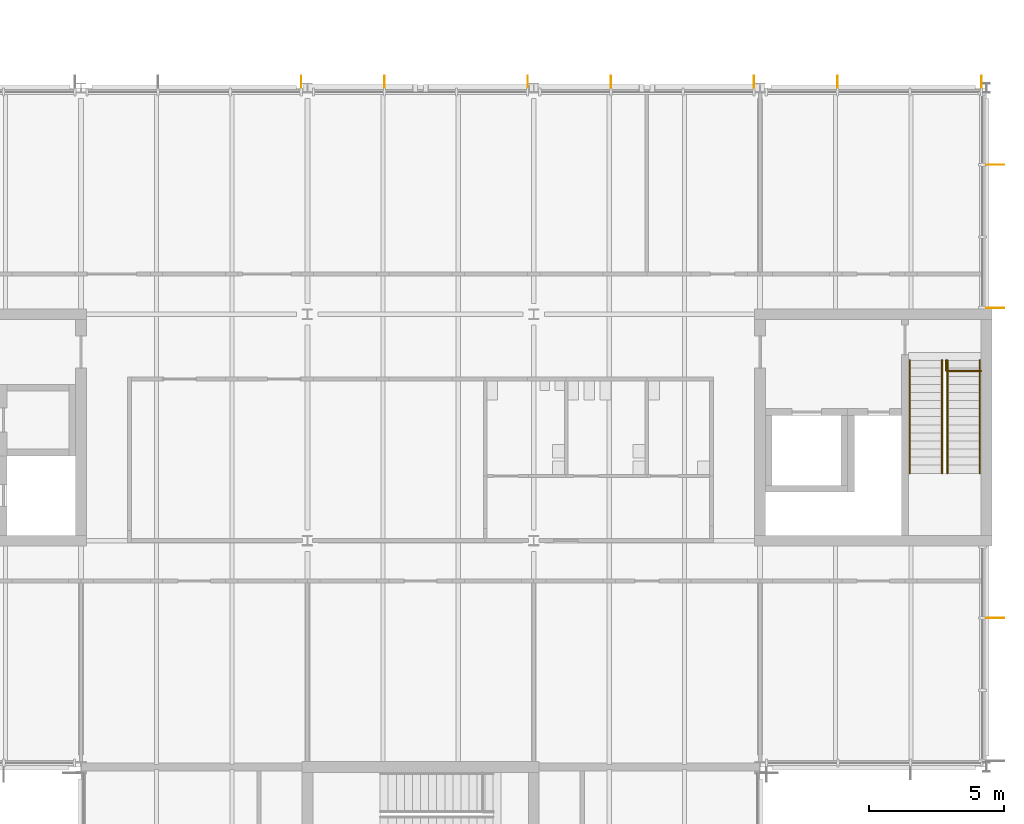
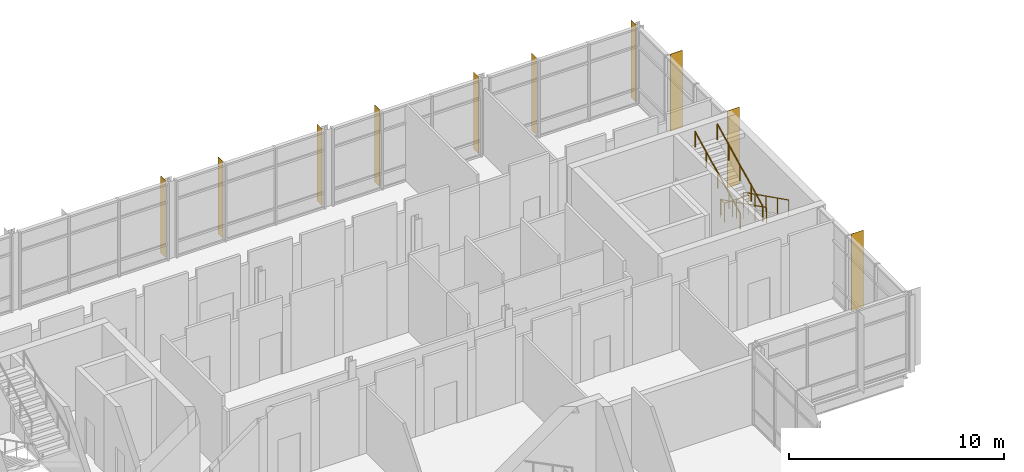
# One storey, part 88 of 89: 10 shading devices, 5 railings.
"""IFC4 building model written with IfcOpenShell, lengths in metres."""

from ifc_helpers import new_model, si_unit, direction, frame, origin, origin_2d, place, context, subcontext, project, spatial, rectangle, circle, extrude, material, layer, layer_set, type_object, element, save


model = new_model("IFC4")

# Units and contexts
model_context = context("Model", 3, precision=1e-05, world=origin(), true_north=direction((0.0, 1.0)))
body_context = subcontext(model_context, "Body", "Model", "MODEL_VIEW")
ifc_project = project(units=[si_unit("LENGTHUNIT", "METRE"), si_unit("AREAUNIT", "SQUARE_METRE"), si_unit("VOLUMEUNIT", "CUBIC_METRE"), si_unit("PLANEANGLEUNIT", "RADIAN"), si_unit("MASSUNIT", "GRAM", prefix="KILO")], contexts=[model_context])

# Site, building, storey
site_placement = place(None, origin())
site = spatial("IfcSite", under=ifc_project, at=site_placement, CompositionType="ELEMENT")
building_placement = place(site_placement, origin())
building = spatial("IfcBuilding", under=site, at=building_placement, Name="Hlaing Beacon Police Headquarters", CompositionType="ELEMENT")
storey_placement = place(building_placement, frame((0.0, 0.0, 9.89990234375)))
storey = spatial("IfcBuildingStorey", under=building, at=storey_placement, Name="L02", CompositionType="ELEMENT", Elevation=9.89990234375)

# Shading devices
ifc_material_1 = material(Name="Aluminium 6063-T5 anodised", Category="aluminium")
ifc_layer_1 = layer(ifc_material_1, 0.011962890625)
ifc_layer_set_1 = layer_set([ifc_layer_1], Name="Aluminium 6063-T5 anodised")
shading_device_type_1 = type_object("IfcShadingDeviceType", Name="Aluminium fin 12x450", PredefinedType="JALOUSIE", material=ifc_layer_set_1)
for number, where, z_axis, x_axis, name in (
    (1, (134.2099609375, 92.625, 0.0), (0.0, 0.0, 1.0), (-1.0, 0.0, 0.0), "Fin L02 N022.0"),
    (2, (128.87353515625, 92.625, 0.0), (0.0, 0.0, 1.0), (-1.0, 0.0, 0.0), "Fin L02 N022.2"),
    (3, (125.774658203125, 92.625, 0.0), (0.0, 0.0, 1.0), (-1.0, 0.0, 0.0), "Fin L02 N023.0"),
    (4, (120.4619140625, 92.625, 0.0), (0.0, 0.0, 1.0), (-1.0, 0.0, 0.0), "Fin L02 N023.2"),
    (5, (117.37451171875, 92.625, 0.0), (0.0, 0.0, 1.0), (-1.0, 0.0, 0.0), "Fin L02 N024.0"),
    (6, (112.061767578125, 92.625, 0.0), (0.0, 0.0, 1.0), (-1.0, 0.0, 0.0), "Fin L02 N024.2"),
    (7, (108.974609375, 92.625, 0.0), (0.0, 0.0, 1.0), (-1.0, 0.0, 0.0), "Fin L02 N025.0"),
):
    element("IfcShadingDevice", number, at=place(storey_placement, frame(where, z_axis=z_axis, x_axis=x_axis)), inside=storey, type_object=shading_device_type_1, Name=name, PredefinedType="JALOUSIE", context=body_context, shape_type="SweptSolid", body=[
        extrude(rectangle(XDim=0.011962890625, YDim=0.449951171875, at=origin_2d()), origin(), (0.0, 0.0, 1.0), 4.3701171875),
    ])
ifc_material_2 = material(Name="Aluminium 6063-T5 anodised", Category="aluminium")
ifc_layer_2 = layer(ifc_material_2, 0.01611328125)
ifc_layer_set_2 = layer_set([ifc_layer_2], Name="Aluminium 6063-T5 anodised")
shading_device_type_2 = type_object("IfcShadingDeviceType", Name="Aluminium fin 16x650", PredefinedType="JALOUSIE", material=ifc_layer_set_2)
for number, where, z_axis, x_axis, name in (
    (8, (134.72509765625, 72.725830078125, 0.0), (0.0, 0.0, 1.0), (0.0, 1.0, 0.0), "Fin L02 E020.2"),
    (9, (134.72509765625, 84.239990234375, 0.0), (0.0, 0.0, 1.0), (0.0, 1.0, 0.0), "Fin L02 E021.0"),
    (10, (134.72509765625, 89.548095703125, 0.0), (0.0, 0.0, 1.0), (0.0, 1.0, 0.0), "Fin L02 E021.2"),
):
    element("IfcShadingDevice", number, at=place(storey_placement, frame(where, z_axis=z_axis, x_axis=x_axis)), inside=storey, type_object=shading_device_type_2, Name=name, PredefinedType="JALOUSIE", context=body_context, shape_type="SweptSolid", body=[
        extrude(rectangle(XDim=0.01611328125, YDim=0.64990234375, at=origin_2d()), origin(), (0.0, 0.0, 1.0), 4.3701171875),
    ])

# Railings
ifc_material_3 = material(Name="Stainless steel", Category="steel")
railing_type_1 = type_object("IfcRailingType", Name="Stair guard 1100", PredefinedType="GUARDRAIL", material=ifc_material_3)
railing_placement = place(storey_placement, frame((134.199951171875, 81.89990234375, 0.0)))
element("IfcRailing", 11, at=railing_placement, inside=storey, type_object=railing_type_1, Name="Guard ST-R", PredefinedType="GUARDRAIL", context=body_context, shape_type="SweptSolid", body=[
    extrude(circle(Radius=0.02392578125, at=origin_2d()), frame((0.0, 0.0, 1.076171875), z_axis=(-1.0, 0.0, 0.0), x_axis=(0.0, -1.0, 0.0)), (0.0, 0.0, 1.0), 1.300048828125),
    extrude(circle(Radius=0.02392578125, at=origin_2d()), frame((-1.300048828125, 0.0, 1.076171875), z_axis=(0.0, 1.0, 0.0), x_axis=(-1.0, 0.0, 0.0)), (0.0, 0.0, 1.0), 0.400146484375),
    extrude(circle(Radius=0.02099609375, at=origin_2d()), origin(), (0.0, 0.0, 1.0), 1.052001953125),
    extrude(circle(Radius=0.02099609375, at=origin_2d()), frame((-0.64990234375, 0.0, 0.0)), (0.0, 0.0, 1.0), 1.052001953125),
    extrude(circle(Radius=0.02099609375, at=origin_2d()), frame((-1.300048828125, 0.0, 0.0)), (0.0, 0.0, 1.0), 1.052001953125),
    extrude(circle(Radius=0.02099609375, at=origin_2d()), frame((-1.300048828125, 0.400146484375, 0.0)), (0.0, 0.0, 1.0), 1.052001953125),
])
ifc_material_4 = material(Name="Stainless steel", Category="steel")
railing_type_2 = type_object("IfcRailingType", Name="Stair handrail 900", PredefinedType="HANDRAIL", material=ifc_material_4)
for number, where, name in (
    (12, (134.14990234375, 82.300048828125, 0.150146484375), "Handrail ST-R"),
    (13, (132.949951171875, 82.300048828125, 0.150146484375), "Handrail ST-R"),
):
    element("IfcRailing", number, at=place(storey_placement, frame(where)), inside=storey, type_object=railing_type_2, Name=name, PredefinedType="HANDRAIL", context=body_context, shape_type="SweptSolid", body=[
        extrude(circle(Radius=0.02392578125, at=origin_2d()), frame((0.0, 0.0, 0.8759765625), z_axis=(0.0, -0.894437589381, 0.447192798132), x_axis=(1.0, 0.0, 0.0)), (0.0, 0.0, 1.0), 4.695556640625),
        extrude(circle(Radius=0.02099609375, at=origin_2d()), origin(), (0.0, 0.0, 1.0), 0.851806640625),
        extrude(circle(Radius=0.02099609375, at=origin_2d()), frame((0.0, -1.050048828125, 0.52490234375)), (0.0, 0.0, 1.0), 0.851806640625),
        extrude(circle(Radius=0.02099609375, at=origin_2d()), frame((0.0, -2.10009765625, 1.0498046875)), (0.0, 0.0, 1.0), 0.851806640625),
        extrude(circle(Radius=0.02099609375, at=origin_2d()), frame((0.0, -3.14990234375, 1.574951171875)), (0.0, 0.0, 1.0), 0.851806640625),
        extrude(circle(Radius=0.02099609375, at=origin_2d()), frame((0.0, -4.199951171875, 2.099853515625)), (0.0, 0.0, 1.0), 0.851806640625),
    ])
for number, where, name in (
    (14, (132.75, 78.10009765625, 2.400146484375), "Handrail ST-R"),
    (15, (131.550048828125, 78.10009765625, 2.400146484375), "Handrail ST-R"),
):
    element("IfcRailing", number, at=place(storey_placement, frame(where)), inside=storey, type_object=railing_type_2, Name=name, PredefinedType="HANDRAIL", context=body_context, shape_type="SweptSolid", body=[
        extrude(circle(Radius=0.02392578125, at=origin_2d()), frame((0.0, 0.0, 0.8759765625), z_axis=(0.0, 0.894437589381, 0.447192798132), x_axis=(-1.0, 0.0, 0.0)), (0.0, 0.0, 1.0), 4.695556640625),
        extrude(circle(Radius=0.02099609375, at=origin_2d()), origin(), (0.0, 0.0, 1.0), 0.851806640625),
        extrude(circle(Radius=0.02099609375, at=origin_2d()), frame((0.0, 1.050048828125, 0.52490234375)), (0.0, 0.0, 1.0), 0.851806640625),
        extrude(circle(Radius=0.02099609375, at=origin_2d()), frame((0.0, 2.10009765625, 1.0498046875)), (0.0, 0.0, 1.0), 0.851806640625),
        extrude(circle(Radius=0.02099609375, at=origin_2d()), frame((0.0, 3.14990234375, 1.574951171875)), (0.0, 0.0, 1.0), 0.851806640625),
        extrude(circle(Radius=0.02099609375, at=origin_2d()), frame((0.0, 4.199951171875, 2.099853515625)), (0.0, 0.0, 1.0), 0.851806640625),
    ])

save(model, "model.ifc")
